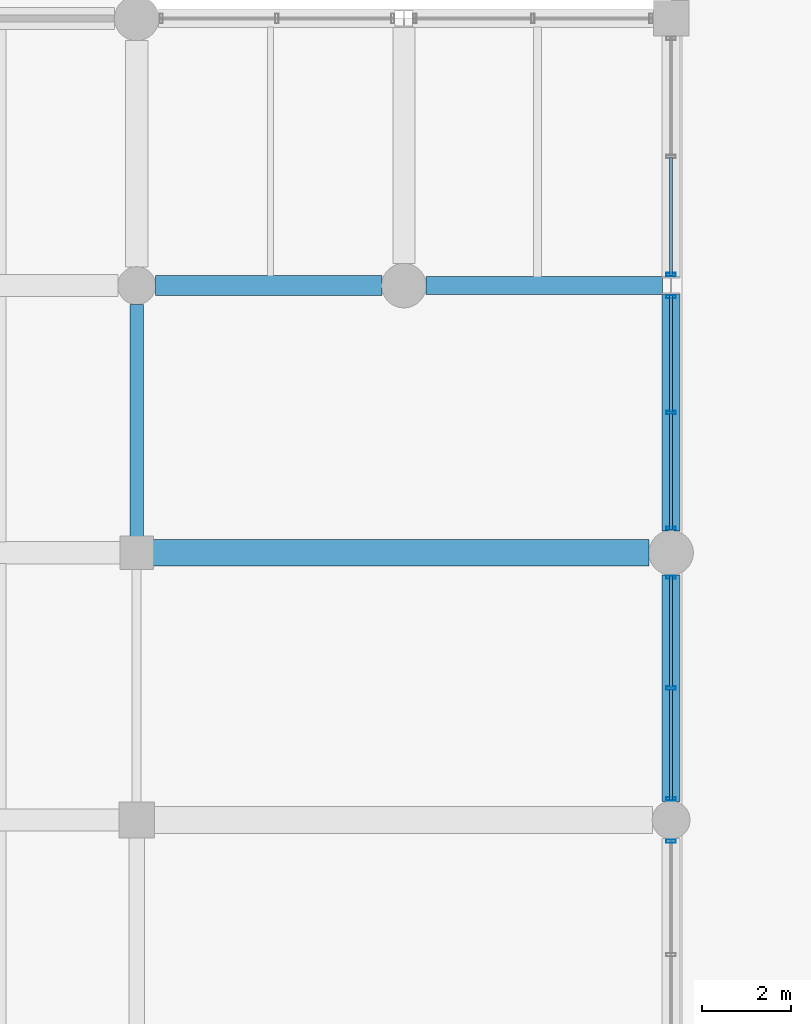
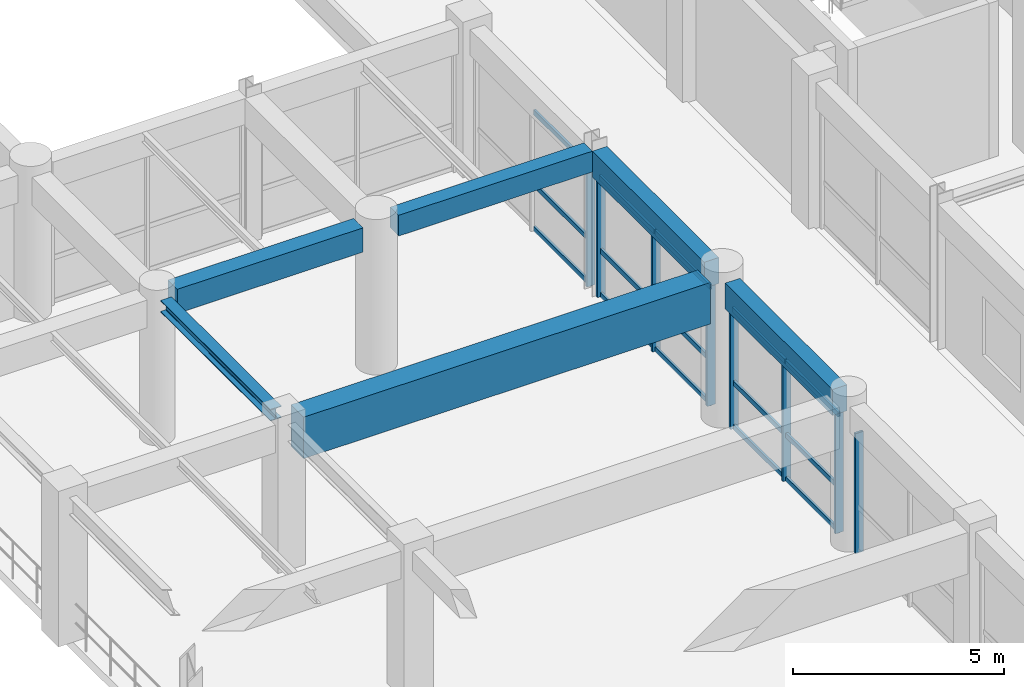
# One storey, part 69 of 133: 23 members, 6 beams, 4 elements without a shape of their own.
"""IFC4 building model written with IfcOpenShell, lengths in metres."""

from ifc_helpers import new_model, si_unit, direction, frame, origin, origin_2d, place, context, subcontext, project, spatial, rectangle, hollow_rectangle, i_section, extrude, material, material_profile, profile_set, type_object, element, aggregate, save


model = new_model("IFC4")

# Units and contexts
model_context = context("Model", 3, precision=1e-05, world=origin(), true_north=direction((0.0, 1.0)))
body_context = subcontext(model_context, "Body", "Model", "MODEL_VIEW")
ifc_project = project(units=[si_unit("LENGTHUNIT", "METRE"), si_unit("AREAUNIT", "SQUARE_METRE"), si_unit("VOLUMEUNIT", "CUBIC_METRE"), si_unit("PLANEANGLEUNIT", "RADIAN"), si_unit("MASSUNIT", "GRAM", prefix="KILO"), si_unit("THERMODYNAMICTEMPERATUREUNIT", "KELVIN"), si_unit("POWERUNIT", "WATT")], contexts=[model_context])

# Site, building, storey
site_placement = place(None, origin())
site = spatial("IfcSite", under=ifc_project, at=site_placement, CompositionType="ELEMENT")
building_placement = place(site_placement, origin())
building = spatial("IfcBuilding", under=site, at=building_placement, Name="Phaisarnlok Congress Hotel", CompositionType="ELEMENT")
storey_placement = place(building_placement, frame((0.0, 0.0, 6.0)))
storey = spatial("IfcBuildingStorey", under=building, at=storey_placement, Name="L01", CompositionType="ELEMENT", Elevation=6.0)

# Beams
ifc_material_1 = material(Name="Concrete C40/50", Category="concrete")
ifc_material_profile_1 = material_profile(ifc_material_1, rectangle(XDim=0.39990234375, YDim=0.60009765625, at=origin_2d()), Name="RC 400x600")
ifc_profile_set_1 = profile_set([ifc_material_profile_1], Name="Concrete C40/50")
beam_type_1 = type_object("IfcBeamType", Name="BM-RC-400x600", PredefinedType="BEAM", material=ifc_profile_set_1)
beam_1_placement = place(storey_placement, frame((150.4951171875, 78.0, 3.919921875), z_axis=(1.0, 0.0, 0.0), x_axis=(0.0, 1.0, 0.0)))
element("IfcBeam", 1, at=beam_1_placement, inside=storey, type_object=beam_type_1, Name="Beam B-02", PredefinedType="BEAM", context=body_context, shape_type="SweptSolid", body=[
    extrude(rectangle(XDim=0.39990234375, YDim=0.60009765625, at=origin_2d()), origin(), (0.0, 0.0, 1.0), 5.309326171875),
])
ifc_material_profile_2 = material_profile(ifc_material_1, rectangle(XDim=0.449951171875, YDim=0.699951171875, at=origin_2d()), Name="RC 450x700")
ifc_profile_set_2 = profile_set([ifc_material_profile_2], Name="Concrete C40/50")
beam_type_2 = type_object("IfcBeamType", Name="BM-RC-450x700", PredefinedType="BEAM", material=ifc_profile_set_2)
beam_2_placement = place(storey_placement, frame((144.419921875, 78.0, 3.8701171875), z_axis=(1.0, 0.0, 0.0), x_axis=(0.0, 1.0, 0.0)))
element("IfcBeam", 2, at=beam_2_placement, inside=storey, type_object=beam_type_2, Name="Beam B-03", PredefinedType="BEAM", context=body_context, shape_type="SweptSolid", body=[
    extrude(rectangle(XDim=0.449951171875, YDim=0.699951171875, at=origin_2d()), origin(), (0.0, 0.0, 1.0), 5.0849609375),
])
ifc_material_2 = material(Name="Concrete C50/60", Category="concrete")
ifc_material_profile_3 = material_profile(ifc_material_2, rectangle(XDim=0.60009765625, YDim=1.199951171875, at=origin_2d()), Name="RC 600x1200")
ifc_profile_set_3 = profile_set([ifc_material_profile_3], Name="Concrete C50/60")
beam_type_3 = type_object("IfcBeamType", Name="BM-RC-600x1200", PredefinedType="BEAM", material=ifc_profile_set_3)
beam_3_placement = place(storey_placement, frame((144.3701171875, 72.0, 3.6201171875), z_axis=(1.0, 0.0, 0.0), x_axis=(0.0, 1.0, 0.0)))
element("IfcBeam", 3, at=beam_3_placement, inside=storey, type_object=beam_type_3, Name="Ramp bay 12m girder B-06", PredefinedType="BEAM", context=body_context, shape_type="SweptSolid", body=[
    extrude(rectangle(XDim=0.60009765625, YDim=1.199951171875, at=origin_2d()), origin(), (0.0, 0.0, 1.0), 11.134765625),
])
ifc_material_3 = material(Name="Steel S355", Category="steel")
ifc_material_profile_4 = material_profile(ifc_material_3, i_section(OverallWidth=0.300048828125, OverallDepth=0.340087890625, WebThickness=0.011962890625, FlangeThickness=0.021484375, FilletRadius=0.027099609375, at=origin_2d()), Name="HEB 340")
ifc_profile_set_4 = profile_set([ifc_material_profile_4], Name="Steel S355")
beam_type_4 = type_object("IfcBeamType", Name="BM-STL-HEB340", PredefinedType="BEAM", material=ifc_profile_set_4)
beam_4_placement = place(storey_placement, frame((144.0, 72.3701171875, 4.050048828125), z_axis=(0.0, 1.0, 0.0), x_axis=(-1.0, 0.0, 0.0)))
element("IfcBeam", 4, at=beam_4_placement, inside=storey, type_object=beam_type_4, Name="Beam SB-07", PredefinedType="BEAM", context=body_context, shape_type="SweptSolid", body=[
    extrude(i_section(OverallWidth=0.300048828125, OverallDepth=0.340087890625, WebThickness=0.011962890625, FlangeThickness=0.021484375, FilletRadius=0.027099609375, at=origin_2d()), origin(), (0.0, 0.0, 1.0), 5.2099609375),
])

# Curtain wall, member
ifc_material_4 = material(Name="Thermally Broken Unitised Aluminium & Low-E Glazing", Category="aluminium")
curtain_wall_type_1 = type_object("IfcCurtainWallType", Name="CW-UNIT-15", PredefinedType="NOTDEFINED", material=ifc_material_4)
curtain_wall_1_placement = place(storey_placement, origin())
curtain_wall_1 = element("IfcCurtainWall", 5, at=curtain_wall_1_placement, inside=storey, type_object=curtain_wall_type_1, Name="Unitised curtain wall CW-15 (L01)", PredefinedType="NOTDEFINED")
ifc_material_5 = material(Name="Anodised Aluminium Alloy 6063-T6", Category="aluminium")
ifc_material_profile_5 = material_profile(ifc_material_5, hollow_rectangle(XDim=0.074951171875, YDim=0.219970703125, WallThickness=0.0048828125, at=origin_2d()), Name="ALU-M 75x220x5")
ifc_profile_set_5 = profile_set([ifc_material_profile_5], Name="Anodised Aluminium Alloy 6063-T6")
member_type_1 = type_object("IfcMemberType", Name="CWM-220", PredefinedType="MULLION", material=ifc_profile_set_5)
member_1_placement = place(storey_placement, frame((156.0, 65.52490234375, 0.0), z_axis=(0.0, 0.0, 1.0), x_axis=(0.0, 1.0, 0.0)))
member_1 = element("IfcMember", 6, at=member_1_placement, type_object=member_type_1, Name="Curtain wall mullion CWM-02", PredefinedType="MULLION", context=body_context, shape_type="SweptSolid", body=[
    extrude(hollow_rectangle(XDim=0.074951171875, YDim=0.219970703125, WallThickness=0.0048828125, at=origin_2d()), origin(), (0.0, 0.0, 1.0), 3.469970703125),
])
aggregate(curtain_wall_1, [member_1])

# Curtain wall, members
curtain_wall_type_2 = type_object("IfcCurtainWallType", Name="CW-UNIT-12", PredefinedType="NOTDEFINED", material=ifc_material_4)
curtain_wall_2_placement = place(storey_placement, origin())
curtain_wall_2 = element("IfcCurtainWall", 7, at=curtain_wall_2_placement, inside=storey, type_object=curtain_wall_type_2, Name="Unitised curtain wall CW-12 (L01)", PredefinedType="NOTDEFINED")
member_2_placement = place(storey_placement, frame((156.0, 66.47509765625, 0.0), z_axis=(0.0, 0.0, 1.0), x_axis=(0.0, 1.0, 0.0)))
member_2 = element("IfcMember", 8, at=member_2_placement, type_object=member_type_1, Name="Curtain wall mullion CWM-02", PredefinedType="MULLION", context=body_context, shape_type="SweptSolid", body=[
    extrude(hollow_rectangle(XDim=0.074951171875, YDim=0.219970703125, WallThickness=0.0048828125, at=origin_2d()), origin(), (0.0, 0.0, 1.0), 3.469970703125),
])
member_3_placement = place(storey_placement, frame((156.0, 68.96240234375, 0.0), z_axis=(0.0, 0.0, 1.0), x_axis=(0.0, 1.0, 0.0)))
member_3 = element("IfcMember", 9, at=member_3_placement, type_object=member_type_1, Name="Curtain wall mullion CWM-02", PredefinedType="MULLION", context=body_context, shape_type="SweptSolid", body=[
    extrude(hollow_rectangle(XDim=0.074951171875, YDim=0.219970703125, WallThickness=0.0048828125, at=origin_2d()), origin(), (0.0, 0.0, 1.0), 3.469970703125),
])
member_4_placement = place(storey_placement, frame((156.0, 71.449951171875, 0.0), z_axis=(0.0, 0.0, 1.0), x_axis=(0.0, 1.0, 0.0)))
member_4 = element("IfcMember", 10, at=member_4_placement, type_object=member_type_1, Name="Curtain wall mullion CWM-02", PredefinedType="MULLION", context=body_context, shape_type="SweptSolid", body=[
    extrude(hollow_rectangle(XDim=0.074951171875, YDim=0.219970703125, WallThickness=0.0048828125, at=origin_2d()), origin(), (0.0, 0.0, 1.0), 3.469970703125),
])

curtain_wall_type_3 = type_object("IfcCurtainWallType", Name="CW-UNIT-13", PredefinedType="NOTDEFINED", material=ifc_material_4)
curtain_wall_3_placement = place(storey_placement, origin())
curtain_wall_3 = element("IfcCurtainWall", 11, at=curtain_wall_3_placement, inside=storey, type_object=curtain_wall_type_3, Name="Unitised curtain wall CW-13 (L01)", PredefinedType="NOTDEFINED")
member_5_placement = place(storey_placement, frame((156.0, 72.550048828125, 0.0), z_axis=(0.0, 0.0, 1.0), x_axis=(0.0, 1.0, 0.0)))
member_5 = element("IfcMember", 12, at=member_5_placement, type_object=member_type_1, Name="Curtain wall mullion CWM-02", PredefinedType="MULLION", context=body_context, shape_type="SweptSolid", body=[
    extrude(hollow_rectangle(XDim=0.074951171875, YDim=0.219970703125, WallThickness=0.0048828125, at=origin_2d()), origin(), (0.0, 0.0, 1.0), 3.469970703125),
])
member_6_placement = place(storey_placement, frame((156.0, 75.150146484375, 0.0), z_axis=(0.0, 0.0, 1.0), x_axis=(0.0, 1.0, 0.0)))
member_6 = element("IfcMember", 13, at=member_6_placement, type_object=member_type_1, Name="Curtain wall mullion CWM-02", PredefinedType="MULLION", context=body_context, shape_type="SweptSolid", body=[
    extrude(hollow_rectangle(XDim=0.074951171875, YDim=0.219970703125, WallThickness=0.0048828125, at=origin_2d()), origin(), (0.0, 0.0, 1.0), 3.469970703125),
])
member_7_placement = place(storey_placement, frame((156.0, 77.75048828125, 0.0), z_axis=(0.0, 0.0, 1.0), x_axis=(0.0, 1.0, 0.0)))
member_7 = element("IfcMember", 14, at=member_7_placement, type_object=member_type_1, Name="Curtain wall mullion CWM-02", PredefinedType="MULLION", context=body_context, shape_type="SweptSolid", body=[
    extrude(hollow_rectangle(XDim=0.074951171875, YDim=0.219970703125, WallThickness=0.0048828125, at=origin_2d()), origin(), (0.0, 0.0, 1.0), 3.469970703125),
])

# Curtain wall, member
curtain_wall_type_4 = type_object("IfcCurtainWallType", Name="CW-UNIT-14", PredefinedType="NOTDEFINED", material=ifc_material_4)
curtain_wall_4_placement = place(storey_placement, origin())
curtain_wall_4 = element("IfcCurtainWall", 15, at=curtain_wall_4_placement, inside=storey, type_object=curtain_wall_type_4, Name="Unitised curtain wall CW-14 (L01)", PredefinedType="NOTDEFINED")
member_8_placement = place(storey_placement, frame((156.0, 78.24951171875, 0.0), z_axis=(0.0, 0.0, 1.0), x_axis=(0.0, 1.0, 0.0)))
member_8 = element("IfcMember", 16, at=member_8_placement, type_object=member_type_1, Name="Curtain wall mullion CWM-02", PredefinedType="MULLION", context=body_context, shape_type="SweptSolid", body=[
    extrude(hollow_rectangle(XDim=0.074951171875, YDim=0.219970703125, WallThickness=0.0048828125, at=origin_2d()), origin(), (0.0, 0.0, 1.0), 3.469970703125),
])

# Member
ifc_material_profile_6 = material_profile(ifc_material_5, hollow_rectangle(XDim=0.06494140625, YDim=0.139892578125, WallThickness=0.00390625, at=origin_2d()), Name="ALU-T 65x140x4")
ifc_profile_set_6 = profile_set([ifc_material_profile_6], Name="Anodised Aluminium Alloy 6063-T6")
member_type_2 = type_object("IfcMemberType", Name="CWT-150", PredefinedType="USERDEFINED", material=ifc_profile_set_6)
member_9_placement = place(storey_placement, frame((156.0, 66.449951171875, 0.050048828125), z_axis=(0.0, 1.0, 0.0), x_axis=(-1.0, 0.0, 0.0)))
member_9 = element("IfcMember", 17, at=member_9_placement, type_object=member_type_2, Name="Curtain wall transom CWT-01", ObjectType="TRANSOM", PredefinedType="USERDEFINED", context=body_context, shape_type="SweptSolid", body=[
    extrude(hollow_rectangle(XDim=0.06494140625, YDim=0.139892578125, WallThickness=0.00390625, at=origin_2d()), origin(), (0.0, 0.0, 1.0), 2.49755859375),
])

member_10_placement = place(storey_placement, frame((156.0, 66.449951171875, 1.318603515625), z_axis=(0.0, 1.0, 0.0), x_axis=(-1.0, 0.0, 0.0)))
member_10 = element("IfcMember", 18, at=member_10_placement, type_object=member_type_2, Name="Curtain wall transom CWT-01", ObjectType="TRANSOM", PredefinedType="USERDEFINED", context=body_context, shape_type="SweptSolid", body=[
    extrude(hollow_rectangle(XDim=0.06494140625, YDim=0.139892578125, WallThickness=0.00390625, at=origin_2d()), origin(), (0.0, 0.0, 1.0), 2.49755859375),
])

member_11_placement = place(storey_placement, frame((156.0, 66.449951171875, 3.419921875), z_axis=(0.0, 1.0, 0.0), x_axis=(-1.0, 0.0, 0.0)))
member_11 = element("IfcMember", 19, at=member_11_placement, type_object=member_type_2, Name="Curtain wall transom CWT-01", ObjectType="TRANSOM", PredefinedType="USERDEFINED", context=body_context, shape_type="SweptSolid", body=[
    extrude(hollow_rectangle(XDim=0.06494140625, YDim=0.139892578125, WallThickness=0.00390625, at=origin_2d()), origin(), (0.0, 0.0, 1.0), 2.49755859375),
])

member_12_placement = place(storey_placement, frame((156.0, 68.9775390625, 0.050048828125), z_axis=(0.0, 1.0, 0.0), x_axis=(-1.0, 0.0, 0.0)))
member_12 = element("IfcMember", 20, at=member_12_placement, type_object=member_type_2, Name="Curtain wall transom CWT-01", ObjectType="TRANSOM", PredefinedType="USERDEFINED", context=body_context, shape_type="SweptSolid", body=[
    extrude(hollow_rectangle(XDim=0.06494140625, YDim=0.139892578125, WallThickness=0.00390625, at=origin_2d()), origin(), (0.0, 0.0, 1.0), 2.49755859375),
])

member_13_placement = place(storey_placement, frame((156.0, 68.9775390625, 1.318603515625), z_axis=(0.0, 1.0, 0.0), x_axis=(-1.0, 0.0, 0.0)))
member_13 = element("IfcMember", 21, at=member_13_placement, type_object=member_type_2, Name="Curtain wall transom CWT-01", ObjectType="TRANSOM", PredefinedType="USERDEFINED", context=body_context, shape_type="SweptSolid", body=[
    extrude(hollow_rectangle(XDim=0.06494140625, YDim=0.139892578125, WallThickness=0.00390625, at=origin_2d()), origin(), (0.0, 0.0, 1.0), 2.49755859375),
])

member_14_placement = place(storey_placement, frame((156.0, 68.9775390625, 3.419921875), z_axis=(0.0, 1.0, 0.0), x_axis=(-1.0, 0.0, 0.0)))
member_14 = element("IfcMember", 22, at=member_14_placement, type_object=member_type_2, Name="Curtain wall transom CWT-01", ObjectType="TRANSOM", PredefinedType="USERDEFINED", context=body_context, shape_type="SweptSolid", body=[
    extrude(hollow_rectangle(XDim=0.06494140625, YDim=0.139892578125, WallThickness=0.00390625, at=origin_2d()), origin(), (0.0, 0.0, 1.0), 2.49755859375),
])

aggregate(curtain_wall_2, [member_2, member_3, member_4, member_9, member_10, member_11, member_12, member_13, member_14])

member_15_placement = place(storey_placement, frame((156.0, 72.52490234375, 0.050048828125), z_axis=(0.0, 1.0, 0.0), x_axis=(-1.0, 0.0, 0.0)))
member_15 = element("IfcMember", 23, at=member_15_placement, type_object=member_type_2, Name="Curtain wall transom CWT-01", ObjectType="TRANSOM", PredefinedType="USERDEFINED", context=body_context, shape_type="SweptSolid", body=[
    extrude(hollow_rectangle(XDim=0.06494140625, YDim=0.139892578125, WallThickness=0.00390625, at=origin_2d()), origin(), (0.0, 0.0, 1.0), 2.6103515625),
])

member_16_placement = place(storey_placement, frame((156.0, 72.52490234375, 1.318603515625), z_axis=(0.0, 1.0, 0.0), x_axis=(-1.0, 0.0, 0.0)))
member_16 = element("IfcMember", 24, at=member_16_placement, type_object=member_type_2, Name="Curtain wall transom CWT-01", ObjectType="TRANSOM", PredefinedType="USERDEFINED", context=body_context, shape_type="SweptSolid", body=[
    extrude(hollow_rectangle(XDim=0.06494140625, YDim=0.139892578125, WallThickness=0.00390625, at=origin_2d()), origin(), (0.0, 0.0, 1.0), 2.6103515625),
])

member_17_placement = place(storey_placement, frame((156.0, 72.52490234375, 3.419921875), z_axis=(0.0, 1.0, 0.0), x_axis=(-1.0, 0.0, 0.0)))
member_17 = element("IfcMember", 25, at=member_17_placement, type_object=member_type_2, Name="Curtain wall transom CWT-01", ObjectType="TRANSOM", PredefinedType="USERDEFINED", context=body_context, shape_type="SweptSolid", body=[
    extrude(hollow_rectangle(XDim=0.06494140625, YDim=0.139892578125, WallThickness=0.00390625, at=origin_2d()), origin(), (0.0, 0.0, 1.0), 2.6103515625),
])

member_18_placement = place(storey_placement, frame((156.0, 75.165283203125, 0.050048828125), z_axis=(0.0, 1.0, 0.0), x_axis=(-1.0, 0.0, 0.0)))
member_18 = element("IfcMember", 26, at=member_18_placement, type_object=member_type_2, Name="Curtain wall transom CWT-01", ObjectType="TRANSOM", PredefinedType="USERDEFINED", context=body_context, shape_type="SweptSolid", body=[
    extrude(hollow_rectangle(XDim=0.06494140625, YDim=0.139892578125, WallThickness=0.00390625, at=origin_2d()), origin(), (0.0, 0.0, 1.0), 2.610107421875),
])

member_19_placement = place(storey_placement, frame((156.0, 75.165283203125, 1.318603515625), z_axis=(0.0, 1.0, 0.0), x_axis=(-1.0, 0.0, 0.0)))
member_19 = element("IfcMember", 27, at=member_19_placement, type_object=member_type_2, Name="Curtain wall transom CWT-01", ObjectType="TRANSOM", PredefinedType="USERDEFINED", context=body_context, shape_type="SweptSolid", body=[
    extrude(hollow_rectangle(XDim=0.06494140625, YDim=0.139892578125, WallThickness=0.00390625, at=origin_2d()), origin(), (0.0, 0.0, 1.0), 2.610107421875),
])

member_20_placement = place(storey_placement, frame((156.0, 75.165283203125, 3.419921875), z_axis=(0.0, 1.0, 0.0), x_axis=(-1.0, 0.0, 0.0)))
member_20 = element("IfcMember", 28, at=member_20_placement, type_object=member_type_2, Name="Curtain wall transom CWT-01", ObjectType="TRANSOM", PredefinedType="USERDEFINED", context=body_context, shape_type="SweptSolid", body=[
    extrude(hollow_rectangle(XDim=0.06494140625, YDim=0.139892578125, WallThickness=0.00390625, at=origin_2d()), origin(), (0.0, 0.0, 1.0), 2.610107421875),
])

aggregate(curtain_wall_3, [member_5, member_6, member_7, member_15, member_16, member_17, member_18, member_19, member_20])

member_21_placement = place(storey_placement, frame((156.0, 78.224609375, 0.050048828125), z_axis=(0.0, 1.0, 0.0), x_axis=(-1.0, 0.0, 0.0)))
member_21 = element("IfcMember", 29, at=member_21_placement, type_object=member_type_2, Name="Curtain wall transom CWT-01", ObjectType="TRANSOM", PredefinedType="USERDEFINED", context=body_context, shape_type="SweptSolid", body=[
    extrude(hollow_rectangle(XDim=0.06494140625, YDim=0.139892578125, WallThickness=0.00390625, at=origin_2d()), origin(), (0.0, 0.0, 1.0), 2.66015625),
])

member_22_placement = place(storey_placement, frame((156.0, 78.224609375, 1.318603515625), z_axis=(0.0, 1.0, 0.0), x_axis=(-1.0, 0.0, 0.0)))
member_22 = element("IfcMember", 30, at=member_22_placement, type_object=member_type_2, Name="Curtain wall transom CWT-01", ObjectType="TRANSOM", PredefinedType="USERDEFINED", context=body_context, shape_type="SweptSolid", body=[
    extrude(hollow_rectangle(XDim=0.06494140625, YDim=0.139892578125, WallThickness=0.00390625, at=origin_2d()), origin(), (0.0, 0.0, 1.0), 2.66015625),
])

member_23_placement = place(storey_placement, frame((156.0, 78.224609375, 3.419921875), z_axis=(0.0, 1.0, 0.0), x_axis=(-1.0, 0.0, 0.0)))
member_23 = element("IfcMember", 31, at=member_23_placement, type_object=member_type_2, Name="Curtain wall transom CWT-01", ObjectType="TRANSOM", PredefinedType="USERDEFINED", context=body_context, shape_type="SweptSolid", body=[
    extrude(hollow_rectangle(XDim=0.06494140625, YDim=0.139892578125, WallThickness=0.00390625, at=origin_2d()), origin(), (0.0, 0.0, 1.0), 2.66015625),
])

aggregate(curtain_wall_4, [member_8, member_21, member_22, member_23])

# Beams
ifc_material_profile_7 = material_profile(ifc_material_1, rectangle(XDim=0.39990234375, YDim=0.75, at=origin_2d()), Name="RC 400x750")
ifc_profile_set_7 = profile_set([ifc_material_profile_7], Name="Concrete C40/50")
beam_type_5 = type_object("IfcBeamType", Name="SP-RC-400x750", PredefinedType="SPANDREL", material=ifc_profile_set_7)
beam_5_placement = place(storey_placement, frame((156.0, 66.419921875, 3.844970703125), z_axis=(0.0, 1.0, 0.0), x_axis=(-1.0, 0.0, 0.0)))
element("IfcBeam", 32, at=beam_5_placement, inside=storey, type_object=beam_type_5, Name="Beam SP-02", PredefinedType="SPANDREL", context=body_context, shape_type="SweptSolid", body=[
    extrude(rectangle(XDim=0.39990234375, YDim=0.75, at=origin_2d()), origin(), (0.0, 0.0, 1.0), 5.0849609375),
])
beam_6_placement = place(storey_placement, frame((156.0, 72.4951171875, 3.844970703125), z_axis=(0.0, 1.0, 0.0), x_axis=(-1.0, 0.0, 0.0)))
element("IfcBeam", 33, at=beam_6_placement, inside=storey, type_object=beam_type_5, Name="Beam SP-02", PredefinedType="SPANDREL", context=body_context, shape_type="SweptSolid", body=[
    extrude(rectangle(XDim=0.39990234375, YDim=0.75, at=origin_2d()), origin(), (0.0, 0.0, 1.0), 5.310302734375),
])

save(model, "model.ifc")
